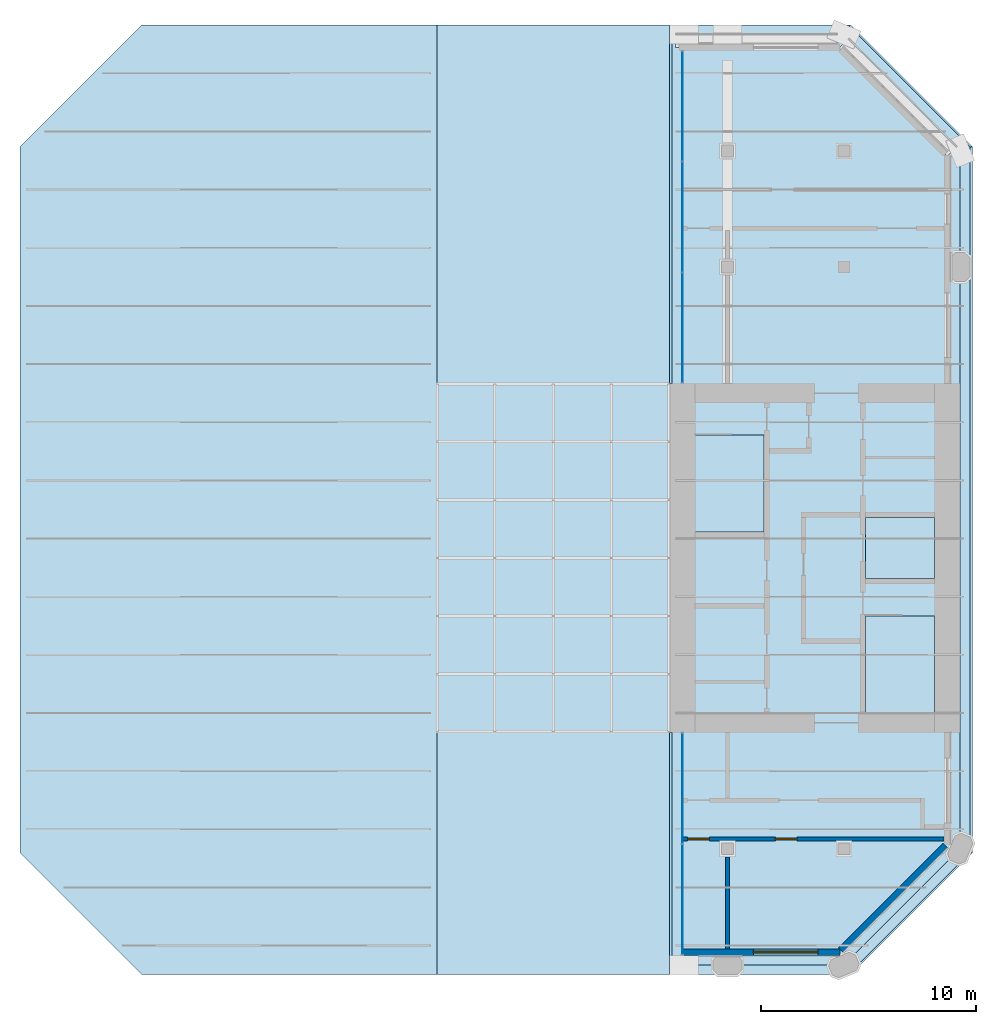
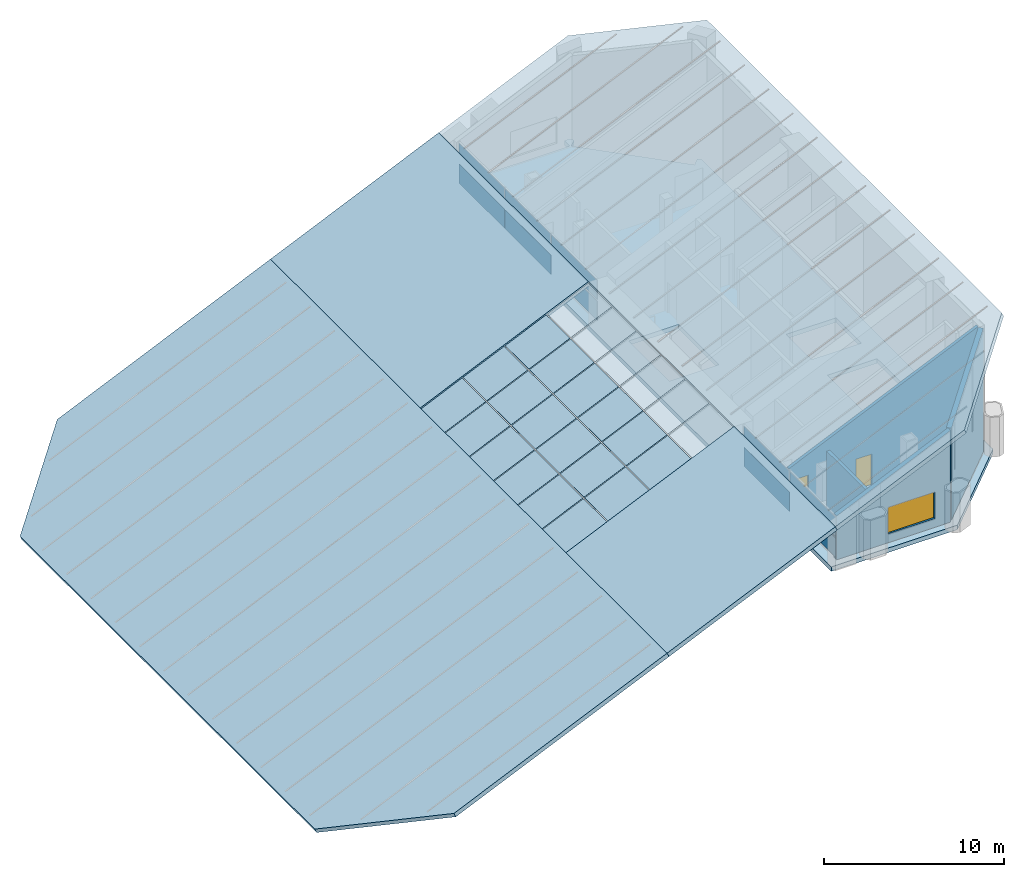
# One storey, part 7 of 10: 34 plates, 5 slabs, 4 walls, 2 doors, 1 window, 3 openings, 3 elements without a shape of their own.
"""IFC4 building model written with IfcOpenShell, lengths in metres."""

from ifc_helpers import new_model, si_unit, direction, frame, frame_2d, origin, origin_2d, place, context, subcontext, project, spatial, polyline, rectangle, outline, extrude, material, layer, layer_set, type_object, element, fill, aggregate, save


model = new_model("IFC4")

# Units and contexts
model_context = context("Model", 3, precision=1e-05, world=origin(), true_north=direction((0.0, 1.0)))
body_context = subcontext(model_context, "Body", "Model", "MODEL_VIEW")
ifc_project = project(units=[si_unit("LENGTHUNIT", "METRE"), si_unit("AREAUNIT", "SQUARE_METRE"), si_unit("VOLUMEUNIT", "CUBIC_METRE"), si_unit("PLANEANGLEUNIT", "RADIAN"), si_unit("MASSUNIT", "GRAM", prefix="KILO")], contexts=[model_context])

# Site, building, storey
site_placement = place(None, origin())
site = spatial("IfcSite", under=ifc_project, at=site_placement, CompositionType="ELEMENT")
building_placement = place(site_placement, origin())
building = spatial("IfcBuilding", under=site, at=building_placement, Name="Tabaq Tower and Sports Hall", CompositionType="ELEMENT")
storey_placement = place(building_placement, frame((0.0, 0.0, 335.199951171875)))
storey = spatial("IfcBuildingStorey", under=building, at=storey_placement, Name="L83", CompositionType="ELEMENT", Elevation=335.199951171875)

# Curtain wall, plates
ifc_material_1 = material(Name="Aluminium alloy 6063-T6 framed glazing", Category="aluminium")
curtain_wall_type = type_object("IfcCurtainWallType", Name="CW5 curtain wall", PredefinedType="USERDEFINED", material=ifc_material_1)
curtain_wall_1_placement = place(storey_placement, origin())
curtain_wall_1 = element("IfcCurtainWall", 1, at=curtain_wall_1_placement, inside=storey, type_object=curtain_wall_type, Name="Crown riser glazing L83", ObjectType="CROWN GLAZING", PredefinedType="USERDEFINED")
ifc_material_2 = material(Name="Clear low-emissivity glass 28 mm", Category="glass")
ifc_layer_1 = layer(ifc_material_2, 0.028076171875)
ifc_layer_set_1 = layer_set([ifc_layer_1], Name="CW5 glass panel 28")
plate_type = type_object("IfcPlateType", Name="CW5 glass panel 28", PredefinedType="CURTAIN_PANEL", material=ifc_layer_set_1)
plate_1_placement = place(storey_placement, frame((30.300048828125, 45.260009765625, 0.1201171875), z_axis=(0.0, 0.0, 1.0), x_axis=(0.0, -1.0, 0.0)))
plate_1 = element("IfcPlate", 2, at=plate_1_placement, type_object=plate_type, Name="CW5 panel 1.1", PredefinedType="CURTAIN_PANEL", context=body_context, shape_type="SweptSolid", body=[
    extrude(rectangle(XDim=5.06005859375, YDim=0.028076171875, at=origin_2d()), origin(), (0.0, 0.0, 1.0), 1.30322265625),
])
plate_2_placement = place(storey_placement, frame((30.300048828125, 45.260009765625, 1.54345703125), z_axis=(0.0, 0.0, 1.0), x_axis=(0.0, -1.0, 0.0)))
plate_2 = element("IfcPlate", 3, at=plate_2_placement, type_object=plate_type, Name="CW5 panel 1.2", PredefinedType="CURTAIN_PANEL", context=body_context, shape_type="SweptSolid", body=[
    extrude(rectangle(XDim=5.06005859375, YDim=0.028076171875, at=origin_2d()), origin(), (0.0, 0.0, 1.0), 1.30322265625),
])
plate_3_placement = place(storey_placement, frame((30.300048828125, 40.125, 0.1201171875), z_axis=(0.0, 0.0, 1.0), x_axis=(0.0, -1.0, 0.0)))
plate_3 = element("IfcPlate", 4, at=plate_3_placement, type_object=plate_type, Name="CW5 panel 2.1", PredefinedType="CURTAIN_PANEL", context=body_context, shape_type="SweptSolid", body=[
    extrude(rectangle(XDim=5.090087890625, YDim=0.028076171875, at=origin_2d()), origin(), (0.0, 0.0, 1.0), 1.30322265625),
])
plate_4_placement = place(storey_placement, frame((30.300048828125, 40.125, 1.54345703125), z_axis=(0.0, 0.0, 1.0), x_axis=(0.0, -1.0, 0.0)))
plate_4 = element("IfcPlate", 5, at=plate_4_placement, type_object=plate_type, Name="CW5 panel 2.2", PredefinedType="CURTAIN_PANEL", context=body_context, shape_type="SweptSolid", body=[
    extrude(rectangle(XDim=5.090087890625, YDim=0.028076171875, at=origin_2d()), origin(), (0.0, 0.0, 1.0), 1.30322265625),
])
plate_5_placement = place(storey_placement, frame((30.300048828125, 34.989990234375, 0.1201171875), z_axis=(0.0, 0.0, 1.0), x_axis=(0.0, -1.0, 0.0)))
plate_5 = element("IfcPlate", 6, at=plate_5_placement, type_object=plate_type, Name="CW5 panel 3.1", PredefinedType="CURTAIN_PANEL", context=body_context, shape_type="SweptSolid", body=[
    extrude(rectangle(XDim=5.06005859375, YDim=0.028076171875, at=origin_2d()), origin(), (0.0, 0.0, 1.0), 1.30322265625),
])
plate_6_placement = place(storey_placement, frame((30.300048828125, 34.989990234375, 1.54345703125), z_axis=(0.0, 0.0, 1.0), x_axis=(0.0, -1.0, 0.0)))
plate_6 = element("IfcPlate", 7, at=plate_6_placement, type_object=plate_type, Name="CW5 panel 3.2", PredefinedType="CURTAIN_PANEL", context=body_context, shape_type="SweptSolid", body=[
    extrude(rectangle(XDim=5.06005859375, YDim=0.028076171875, at=origin_2d()), origin(), (0.0, 0.0, 1.0), 1.30322265625),
])
aggregate(curtain_wall_1, [plate_1, plate_2, plate_3, plate_4, plate_5, plate_6])

curtain_wall_2_placement = place(storey_placement, origin())
curtain_wall_2 = element("IfcCurtainWall", 8, at=curtain_wall_2_placement, inside=storey, type_object=curtain_wall_type, Name="Crown riser glazing L83", ObjectType="CROWN GLAZING", PredefinedType="USERDEFINED")
plate_7_placement = place(storey_placement, frame((30.300048828125, 13.597412109375, 0.1201171875), z_axis=(0.0, 0.0, 1.0), x_axis=(0.0, -1.0, 0.0)))
plate_7 = element("IfcPlate", 9, at=plate_7_placement, type_object=plate_type, Name="CW5 panel 1.1", PredefinedType="CURTAIN_PANEL", context=body_context, shape_type="SweptSolid", body=[
    extrude(rectangle(XDim=5.0849609375, YDim=0.028076171875, at=origin_2d()), origin(), (0.0, 0.0, 1.0), 1.30322265625),
])
plate_8_placement = place(storey_placement, frame((30.300048828125, 13.597412109375, 1.54345703125), z_axis=(0.0, 0.0, 1.0), x_axis=(0.0, -1.0, 0.0)))
plate_8 = element("IfcPlate", 10, at=plate_8_placement, type_object=plate_type, Name="CW5 panel 1.2", PredefinedType="CURTAIN_PANEL", context=body_context, shape_type="SweptSolid", body=[
    extrude(rectangle(XDim=5.0849609375, YDim=0.028076171875, at=origin_2d()), origin(), (0.0, 0.0, 1.0), 1.30322265625),
])
plate_9_placement = place(storey_placement, frame((30.300048828125, 8.452392578125, 0.1201171875), z_axis=(0.0, 0.0, 1.0), x_axis=(0.0, -1.0, 0.0)))
plate_9 = element("IfcPlate", 11, at=plate_9_placement, type_object=plate_type, Name="CW5 panel 2.1", PredefinedType="CURTAIN_PANEL", context=body_context, shape_type="SweptSolid", body=[
    extrude(rectangle(XDim=5.0849609375, YDim=0.028076171875, at=origin_2d()), origin(), (0.0, 0.0, 1.0), 1.30322265625),
])
plate_10_placement = place(storey_placement, frame((30.300048828125, 8.452392578125, 1.54345703125), z_axis=(0.0, 0.0, 1.0), x_axis=(0.0, -1.0, 0.0)))
plate_10 = element("IfcPlate", 12, at=plate_10_placement, type_object=plate_type, Name="CW5 panel 2.2", PredefinedType="CURTAIN_PANEL", context=body_context, shape_type="SweptSolid", body=[
    extrude(rectangle(XDim=5.0849609375, YDim=0.028076171875, at=origin_2d()), origin(), (0.0, 0.0, 1.0), 1.30322265625),
])
aggregate(curtain_wall_2, [plate_7, plate_8, plate_9, plate_10])

curtain_wall_3_placement = place(storey_placement, origin())
curtain_wall_3 = element("IfcCurtainWall", 13, at=curtain_wall_3_placement, inside=storey, type_object=curtain_wall_type, Name="Atrium rooflight", ObjectType="CROWN GLAZING", PredefinedType="USERDEFINED")
plate_11_placement = place(storey_placement, frame((18.929931640625, 16.22998046875, -1.856689453125), z_axis=(-0.406122784972, 0.0, 0.913818517829), x_axis=(0.913818517829, 0.0, 0.406122784972)))
plate_11 = element("IfcPlate", 14, at=plate_11_placement, type_object=plate_type, Name="Rooflight glass 1.1", PredefinedType="CURTAIN_PANEL", context=body_context, shape_type="SweptSolid", body=[
    extrude(outline(polyline([(0.0, 0.0), (2.8891258682555336, 0.0), (2.8891258682555336, 2.64013671875), (0.0, 2.64013671875), (0.0, 0.0)])), origin(), (0.0, 0.0, -1.0), 0.028076171875),
])
plate_12_placement = place(storey_placement, frame((18.929931640625, 18.929931640625, -1.856689453125), z_axis=(-0.406122784972, 0.0, 0.913818517829), x_axis=(0.913818517829, 0.0, 0.406122784972)))
plate_12 = element("IfcPlate", 15, at=plate_12_placement, type_object=plate_type, Name="Rooflight glass 1.2", PredefinedType="CURTAIN_PANEL", context=body_context, shape_type="SweptSolid", body=[
    extrude(outline(polyline([(0.0, 0.0), (2.8891258682555336, 0.0), (2.8891258682555336, 2.64013671875), (0.0, 2.64013671875), (0.0, 0.0)])), origin(), (0.0, 0.0, -1.0), 0.028076171875),
])
plate_13_placement = place(storey_placement, frame((18.929931640625, 21.6298828125, -1.856689453125), z_axis=(-0.406122784972, 0.0, 0.913818517829), x_axis=(0.913818517829, 0.0, 0.406122784972)))
plate_13 = element("IfcPlate", 16, at=plate_13_placement, type_object=plate_type, Name="Rooflight glass 1.3", PredefinedType="CURTAIN_PANEL", context=body_context, shape_type="SweptSolid", body=[
    extrude(outline(polyline([(0.0, 0.0), (2.8891258682555336, 0.0), (2.8891258682555336, 2.64013671875), (0.0, 2.64013671875), (0.0, 0.0)])), origin(), (0.0, 0.0, -1.0), 0.028076171875),
])
plate_14_placement = place(storey_placement, frame((18.929931640625, 24.330078125, -1.856689453125), z_axis=(-0.406122784972, 0.0, 0.913818517829), x_axis=(0.913818517829, 0.0, 0.406122784972)))
plate_14 = element("IfcPlate", 17, at=plate_14_placement, type_object=plate_type, Name="Rooflight glass 1.4", PredefinedType="CURTAIN_PANEL", context=body_context, shape_type="SweptSolid", body=[
    extrude(outline(polyline([(0.0, 0.0), (2.8891258682555336, 0.0), (2.8891258682555336, 2.639892578125), (0.0, 2.639892578125), (0.0, 0.0)])), origin(), (0.0, 0.0, -1.0), 0.028076171875),
])
plate_15_placement = place(storey_placement, frame((18.929931640625, 27.030029296875, -1.856689453125), z_axis=(-0.406122784972, 0.0, 0.913818517829), x_axis=(0.913818517829, 0.0, 0.406122784972)))
plate_15 = element("IfcPlate", 18, at=plate_15_placement, type_object=plate_type, Name="Rooflight glass 1.5", PredefinedType="CURTAIN_PANEL", context=body_context, shape_type="SweptSolid", body=[
    extrude(outline(polyline([(0.0, 0.0), (2.8891258682555336, 0.0), (2.8891258682555336, 2.639892578125), (0.0, 2.639892578125), (0.0, 0.0)])), origin(), (0.0, 0.0, -1.0), 0.028076171875),
])
plate_16_placement = place(storey_placement, frame((18.929931640625, 29.72998046875, -1.856689453125), z_axis=(-0.406122784972, 0.0, 0.913818517829), x_axis=(0.913818517829, 0.0, 0.406122784972)))
plate_16 = element("IfcPlate", 19, at=plate_16_placement, type_object=plate_type, Name="Rooflight glass 1.6", PredefinedType="CURTAIN_PANEL", context=body_context, shape_type="SweptSolid", body=[
    extrude(outline(polyline([(0.0, 0.0), (2.8891258682555336, 0.0), (2.8891258682555336, 2.64013671875), (0.0, 2.64013671875), (0.0, 0.0)])), origin(), (0.0, 0.0, -1.0), 0.028076171875),
])
plate_17_placement = place(storey_placement, frame((21.6298828125, 16.22998046875, -0.65673828125), z_axis=(-0.406122784972, 0.0, 0.913818517829), x_axis=(0.913818517829, 0.0, 0.406122784972)))
plate_17 = element("IfcPlate", 20, at=plate_17_placement, type_object=plate_type, Name="Rooflight glass 2.1", PredefinedType="CURTAIN_PANEL", context=body_context, shape_type="SweptSolid", body=[
    extrude(outline(polyline([(0.0, 0.0), (2.8891258682555336, 0.0), (2.8891258682555336, 2.64013671875), (0.0, 2.64013671875), (0.0, 0.0)])), origin(), (0.0, 0.0, -1.0), 0.028076171875),
])
plate_18_placement = place(storey_placement, frame((21.6298828125, 18.929931640625, -0.65673828125), z_axis=(-0.406122784972, 0.0, 0.913818517829), x_axis=(0.913818517829, 0.0, 0.406122784972)))
plate_18 = element("IfcPlate", 21, at=plate_18_placement, type_object=plate_type, Name="Rooflight glass 2.2", PredefinedType="CURTAIN_PANEL", context=body_context, shape_type="SweptSolid", body=[
    extrude(outline(polyline([(0.0, 0.0), (2.8891258682555336, 0.0), (2.8891258682555336, 2.64013671875), (0.0, 2.64013671875), (0.0, 0.0)])), origin(), (0.0, 0.0, -1.0), 0.028076171875),
])
plate_19_placement = place(storey_placement, frame((21.6298828125, 21.6298828125, -0.65673828125), z_axis=(-0.406122784972, 0.0, 0.913818517829), x_axis=(0.913818517829, 0.0, 0.406122784972)))
plate_19 = element("IfcPlate", 22, at=plate_19_placement, type_object=plate_type, Name="Rooflight glass 2.3", PredefinedType="CURTAIN_PANEL", context=body_context, shape_type="SweptSolid", body=[
    extrude(outline(polyline([(0.0, 0.0), (2.8891258682555336, 0.0), (2.8891258682555336, 2.64013671875), (0.0, 2.64013671875), (0.0, 0.0)])), origin(), (0.0, 0.0, -1.0), 0.028076171875),
])
plate_20_placement = place(storey_placement, frame((21.6298828125, 24.330078125, -0.65673828125), z_axis=(-0.406122784972, 0.0, 0.913818517829), x_axis=(0.913818517829, 0.0, 0.406122784972)))
plate_20 = element("IfcPlate", 23, at=plate_20_placement, type_object=plate_type, Name="Rooflight glass 2.4", PredefinedType="CURTAIN_PANEL", context=body_context, shape_type="SweptSolid", body=[
    extrude(outline(polyline([(0.0, 0.0), (2.8891258682555336, 0.0), (2.8891258682555336, 2.639892578125), (0.0, 2.639892578125), (0.0, 0.0)])), origin(), (0.0, 0.0, -1.0), 0.028076171875),
])
plate_21_placement = place(storey_placement, frame((21.6298828125, 27.030029296875, -0.65673828125), z_axis=(-0.406122784972, 0.0, 0.913818517829), x_axis=(0.913818517829, 0.0, 0.406122784972)))
plate_21 = element("IfcPlate", 24, at=plate_21_placement, type_object=plate_type, Name="Rooflight glass 2.5", PredefinedType="CURTAIN_PANEL", context=body_context, shape_type="SweptSolid", body=[
    extrude(outline(polyline([(0.0, 0.0), (2.8891258682555336, 0.0), (2.8891258682555336, 2.639892578125), (0.0, 2.639892578125), (0.0, 0.0)])), origin(), (0.0, 0.0, -1.0), 0.028076171875),
])
plate_22_placement = place(storey_placement, frame((21.6298828125, 29.72998046875, -0.65673828125), z_axis=(-0.406122784972, 0.0, 0.913818517829), x_axis=(0.913818517829, 0.0, 0.406122784972)))
plate_22 = element("IfcPlate", 25, at=plate_22_placement, type_object=plate_type, Name="Rooflight glass 2.6", PredefinedType="CURTAIN_PANEL", context=body_context, shape_type="SweptSolid", body=[
    extrude(outline(polyline([(0.0, 0.0), (2.8891258682555336, 0.0), (2.8891258682555336, 2.64013671875), (0.0, 2.64013671875), (0.0, 0.0)])), origin(), (0.0, 0.0, -1.0), 0.028076171875),
])
plate_23_placement = place(storey_placement, frame((24.330078125, 16.22998046875, 0.54345703125), z_axis=(-0.406154148226, 0.0, 0.913804578604), x_axis=(0.913804578604, 0.0, 0.406154148226)))
plate_23 = element("IfcPlate", 26, at=plate_23_placement, type_object=plate_type, Name="Rooflight glass 3.1", PredefinedType="CURTAIN_PANEL", context=body_context, shape_type="SweptSolid", body=[
    extrude(outline(polyline([(0.0, 0.0), (2.888902769732954, 0.0), (2.888902769732954, 2.64013671875), (0.0, 2.64013671875), (0.0, 0.0)])), origin(), (0.0, 0.0, -1.0), 0.028076171875),
])
plate_24_placement = place(storey_placement, frame((24.330078125, 18.929931640625, 0.54345703125), z_axis=(-0.406154148226, 0.0, 0.913804578604), x_axis=(0.913804578604, 0.0, 0.406154148226)))
plate_24 = element("IfcPlate", 27, at=plate_24_placement, type_object=plate_type, Name="Rooflight glass 3.2", PredefinedType="CURTAIN_PANEL", context=body_context, shape_type="SweptSolid", body=[
    extrude(outline(polyline([(0.0, 0.0), (2.888902769732954, 0.0), (2.888902769732954, 2.64013671875), (0.0, 2.64013671875), (0.0, 0.0)])), origin(), (0.0, 0.0, -1.0), 0.028076171875),
])
plate_25_placement = place(storey_placement, frame((24.330078125, 21.6298828125, 0.54345703125), z_axis=(-0.406154148226, 0.0, 0.913804578604), x_axis=(0.913804578604, 0.0, 0.406154148226)))
plate_25 = element("IfcPlate", 28, at=plate_25_placement, type_object=plate_type, Name="Rooflight glass 3.3", PredefinedType="CURTAIN_PANEL", context=body_context, shape_type="SweptSolid", body=[
    extrude(outline(polyline([(0.0, 0.0), (2.888902769732954, 0.0), (2.888902769732954, 2.64013671875), (0.0, 2.64013671875), (0.0, 0.0)])), origin(), (0.0, 0.0, -1.0), 0.028076171875),
])
plate_26_placement = place(storey_placement, frame((24.330078125, 24.330078125, 0.54345703125), z_axis=(-0.406154148226, 0.0, 0.913804578604), x_axis=(0.913804578604, 0.0, 0.406154148226)))
plate_26 = element("IfcPlate", 29, at=plate_26_placement, type_object=plate_type, Name="Rooflight glass 3.4", PredefinedType="CURTAIN_PANEL", context=body_context, shape_type="SweptSolid", body=[
    extrude(outline(polyline([(0.0, 0.0), (2.888902769732954, 0.0), (2.888902769732954, 2.639892578125), (0.0, 2.639892578125), (0.0, 0.0)])), origin(), (0.0, 0.0, -1.0), 0.028076171875),
])
plate_27_placement = place(storey_placement, frame((24.330078125, 27.030029296875, 0.54345703125), z_axis=(-0.406154148226, 0.0, 0.913804578604), x_axis=(0.913804578604, 0.0, 0.406154148226)))
plate_27 = element("IfcPlate", 30, at=plate_27_placement, type_object=plate_type, Name="Rooflight glass 3.5", PredefinedType="CURTAIN_PANEL", context=body_context, shape_type="SweptSolid", body=[
    extrude(outline(polyline([(0.0, 0.0), (2.888902769732954, 0.0), (2.888902769732954, 2.639892578125), (0.0, 2.639892578125), (0.0, 0.0)])), origin(), (0.0, 0.0, -1.0), 0.028076171875),
])
plate_28_placement = place(storey_placement, frame((24.330078125, 29.72998046875, 0.54345703125), z_axis=(-0.406154148226, 0.0, 0.913804578604), x_axis=(0.913804578604, 0.0, 0.406154148226)))
plate_28 = element("IfcPlate", 31, at=plate_28_placement, type_object=plate_type, Name="Rooflight glass 3.6", PredefinedType="CURTAIN_PANEL", context=body_context, shape_type="SweptSolid", body=[
    extrude(outline(polyline([(0.0, 0.0), (2.888902769732954, 0.0), (2.888902769732954, 2.64013671875), (0.0, 2.64013671875), (0.0, 0.0)])), origin(), (0.0, 0.0, -1.0), 0.028076171875),
])
plate_29_placement = place(storey_placement, frame((27.030029296875, 16.22998046875, 1.743408203125), z_axis=(-0.406154148226, 0.0, 0.913804578604), x_axis=(0.913804578604, 0.0, 0.406154148226)))
plate_29 = element("IfcPlate", 32, at=plate_29_placement, type_object=plate_type, Name="Rooflight glass 4.1", PredefinedType="CURTAIN_PANEL", context=body_context, shape_type="SweptSolid", body=[
    extrude(outline(polyline([(0.0, 0.0), (2.888902769732954, 0.0), (2.888902769732954, 2.64013671875), (0.0, 2.64013671875), (0.0, 0.0)])), origin(), (0.0, 0.0, -1.0), 0.028076171875),
])
plate_30_placement = place(storey_placement, frame((27.030029296875, 18.929931640625, 1.743408203125), z_axis=(-0.406154148226, 0.0, 0.913804578604), x_axis=(0.913804578604, 0.0, 0.406154148226)))
plate_30 = element("IfcPlate", 33, at=plate_30_placement, type_object=plate_type, Name="Rooflight glass 4.2", PredefinedType="CURTAIN_PANEL", context=body_context, shape_type="SweptSolid", body=[
    extrude(outline(polyline([(0.0, 0.0), (2.888902769732954, 0.0), (2.888902769732954, 2.64013671875), (0.0, 2.64013671875), (0.0, 0.0)])), origin(), (0.0, 0.0, -1.0), 0.028076171875),
])
plate_31_placement = place(storey_placement, frame((27.030029296875, 21.6298828125, 1.743408203125), z_axis=(-0.406154148226, 0.0, 0.913804578604), x_axis=(0.913804578604, 0.0, 0.406154148226)))
plate_31 = element("IfcPlate", 34, at=plate_31_placement, type_object=plate_type, Name="Rooflight glass 4.3", PredefinedType="CURTAIN_PANEL", context=body_context, shape_type="SweptSolid", body=[
    extrude(outline(polyline([(0.0, 0.0), (2.888902769732954, 0.0), (2.888902769732954, 2.64013671875), (0.0, 2.64013671875), (0.0, 0.0)])), origin(), (0.0, 0.0, -1.0), 0.028076171875),
])
plate_32_placement = place(storey_placement, frame((27.030029296875, 24.330078125, 1.743408203125), z_axis=(-0.406154148226, 0.0, 0.913804578604), x_axis=(0.913804578604, 0.0, 0.406154148226)))
plate_32 = element("IfcPlate", 35, at=plate_32_placement, type_object=plate_type, Name="Rooflight glass 4.4", PredefinedType="CURTAIN_PANEL", context=body_context, shape_type="SweptSolid", body=[
    extrude(outline(polyline([(0.0, 0.0), (2.888902769732954, 0.0), (2.888902769732954, 2.639892578125), (0.0, 2.639892578125), (0.0, 0.0)])), origin(), (0.0, 0.0, -1.0), 0.028076171875),
])
plate_33_placement = place(storey_placement, frame((27.030029296875, 27.030029296875, 1.743408203125), z_axis=(-0.406154148226, 0.0, 0.913804578604), x_axis=(0.913804578604, 0.0, 0.406154148226)))
plate_33 = element("IfcPlate", 36, at=plate_33_placement, type_object=plate_type, Name="Rooflight glass 4.5", PredefinedType="CURTAIN_PANEL", context=body_context, shape_type="SweptSolid", body=[
    extrude(outline(polyline([(0.0, 0.0), (2.888902769732954, 0.0), (2.888902769732954, 2.639892578125), (0.0, 2.639892578125), (0.0, 0.0)])), origin(), (0.0, 0.0, -1.0), 0.028076171875),
])
plate_34_placement = place(storey_placement, frame((27.030029296875, 29.72998046875, 1.743408203125), z_axis=(-0.406154148226, 0.0, 0.913804578604), x_axis=(0.913804578604, 0.0, 0.406154148226)))
plate_34 = element("IfcPlate", 37, at=plate_34_placement, type_object=plate_type, Name="Rooflight glass 4.6", PredefinedType="CURTAIN_PANEL", context=body_context, shape_type="SweptSolid", body=[
    extrude(outline(polyline([(0.0, 0.0), (2.888902769732954, 0.0), (2.888902769732954, 2.64013671875), (0.0, 2.64013671875), (0.0, 0.0)])), origin(), (0.0, 0.0, -1.0), 0.028076171875),
])
aggregate(curtain_wall_3, [plate_11, plate_12, plate_13, plate_14, plate_15, plate_16, plate_17, plate_18, plate_19, plate_20, plate_21, plate_22, plate_23, plate_24, plate_25, plate_26, plate_27, plate_28, plate_29, plate_30, plate_31, plate_32, plate_33, plate_34])

# Slabs
ifc_material_3 = material(Name="Concrete C40/50", Category="concrete")
ifc_layer_2 = layer(ifc_material_3, 0.300048828125)
ifc_layer_set_2 = layer_set([ifc_layer_2], Name="Concrete C40/50 crown roof slab 300")
slab_type_1 = type_object("IfcSlabType", Name="Concrete C40/50 crown roof slab 300", PredefinedType="ROOF", material=ifc_layer_set_2)
slab_1_placement = place(storey_placement, frame((-0.449951171875, 10.613525390625, -10.39990234375), z_axis=(-0.406135416897, 0.0, 0.913812903795), x_axis=(0.0, 1.0, 0.0)))
element("IfcSlab", 38, at=slab_1_placement, inside=storey, type_object=slab_type_1, Name="Crown roof W", PredefinedType="ROOF", context=body_context, shape_type="SweptSolid", body=[
    extrude(outline(polyline([(0.0, 0.0), (32.77294921875, 0.0), (38.4365234375, -6.197726535751962), (38.4365234375, -21.174850921938955), (-5.66357421875, -21.174850921938955), (-5.66357421875, -6.197726535751962), (0.0, 0.0)])), origin(), (0.0, 0.0, -1.0), 0.300048828125),
])
slab_2_placement = place(storey_placement, frame((37.986328125, 49.050048828125, 6.682861328125), z_axis=(-0.406137302659, 0.0, 0.913812065683), x_axis=(0.67457781044, -0.674579827023, 0.299811331733)))
element("IfcSlab", 39, at=slab_2_placement, inside=storey, type_object=slab_type_1, Name="Crown roof E", PredefinedType="ROOF", context=body_context, shape_type="SweptSolid", body=[
    extrude(outline(polyline([(0.0, 0.0), (8.395706470711739, -5.551115123125783e-16), (30.503676885735118, -24.193053644036286), (29.74903624865786, -32.55477623278692), (23.05506666776608, -38.67182468937571), (-6.693969580891777, -6.117048456588787), (0.0, 0.0)])), origin(), (0.0, 0.0, -1.0), 0.300048828125),
])
slab_3_placement = place(storey_placement, frame((18.89990234375, 4.949951171875, -1.800048828125), z_axis=(-0.406140382696, 0.0, 0.913810696777), x_axis=(0.0, 1.0, 0.0)))
element("IfcSlab", 40, at=slab_3_placement, inside=storey, type_object=slab_type_1, Name="Crown roof S", PredefinedType="ROOF", context=body_context, shape_type="SweptSolid", body=[
    extrude(outline(polyline([(0.0, 0.0), (11.25, 0.0), (11.25, -11.818693812865632), (0.0, -11.818693812865632), (0.0, 0.0)])), origin(), (0.0, 0.0, -1.0), 0.300048828125),
])
slab_4_placement = place(storey_placement, frame((29.699951171875, 49.050048828125, 3.0), z_axis=(-0.406140382696, 0.0, 0.913810696777), x_axis=(0.0, -1.0, 0.0)))
element("IfcSlab", 41, at=slab_4_placement, inside=storey, type_object=slab_type_1, Name="Crown roof N", PredefinedType="ROOF", context=body_context, shape_type="SweptSolid", body=[
    extrude(outline(polyline([(0.0, 0.0), (16.650146484375, 0.0), (16.650146484375, -11.818693812865632), (0.0, -11.818693812865632), (0.0, 0.0)])), origin(), (0.0, 0.0, -1.0), 0.300048828125),
])
ifc_material_4 = material(Name="Concrete C40/50", Category="concrete")
ifc_layer_3 = layer(ifc_material_4, 0.300048828125)
ifc_layer_set_3 = layer_set([ifc_layer_3], Name="PT FLOOR SLAB 300 C40/50")
slab_type_2 = type_object("IfcSlabType", Name="PT FLOOR SLAB 300 C40/50", PredefinedType="FLOOR", material=ifc_layer_set_3)
slab_5_placement = place(storey_placement, frame((0.0, 0.0, -0.300048828125)))
element("IfcSlab", 42, at=slab_5_placement, inside=storey, type_object=slab_type_2, Name="Floor Slab L83", PredefinedType="FLOOR", context=body_context, shape_type="SweptSolid", body=[
    extrude(outline(polyline([(29.989990234375, 48.60009765625), (29.699951171875, 48.60009765625), (29.699951171875, 32.39990234375), (29.699951171875, 16.199951171875), (29.699951171875, 5.39990234375), (37.800048828125, 5.39990234375), (43.199951171875, 10.800048828125), (43.199951171875, 43.199951171875), (43.023193359375, 43.376708984375), (42.669677734375, 43.023193359375), (42.598876953125, 42.952392578125), (37.5869140625, 47.964599609375), (37.657470703125, 48.035400390625), (38.010986328125, 48.388916015625), (37.800048828125, 48.60009765625), (37.50146484375, 48.60009765625), (37.50146484375, 48.10009765625), (37.50146484375, 48.0), (29.989990234375, 48.0), (29.989990234375, 48.10009765625), (29.989990234375, 48.60009765625)]), holes=[polyline([(38.800048828125, 17.10009765625), (38.800048828125, 21.599365234375), (42.0, 21.599365234375), (42.0, 17.10009765625), (38.800048828125, 17.10009765625)]), polyline([(38.800048828125, 23.35009765625), (38.800048828125, 26.175048828125), (42.0, 26.175048828125), (42.0, 23.35009765625), (38.800048828125, 23.35009765625)]), polyline([(30.89990234375, 25.5), (30.89990234375, 29.99951171875), (34.10009765625, 29.99951171875), (34.10009765625, 25.5), (30.89990234375, 25.5)])]), origin(), (0.0, 0.0, 1.0), 0.300048828125),
])

# Wall
ifc_material_5 = material(Name="Blockwork", Category="masonry")
ifc_layer_4 = layer(ifc_material_5, 0.199951171875)
ifc_layer_set_4 = layer_set([ifc_layer_4], Name="Fire compartment wall 200 Blockwork")
wall_type_1 = type_object("IfcWallType", Name="Fire compartment wall 200 Blockwork", PredefinedType="PARTITIONING", material=ifc_layer_set_4)
wall_1_placement = place(storey_placement, frame((32.39990234375, 10.42431640625, 0.0), z_axis=(0.0, 0.0, 1.0), x_axis=(0.0, -1.0, 0.0)))
element("IfcWall", 43, at=wall_1_placement, inside=storey, type_object=wall_type_1, Name="Compartment wall L83", PredefinedType="PARTITIONING", context=body_context, shape_type="SweptSolid", body=[
    extrude(rectangle(XDim=4.2734375, YDim=0.199951171875, at=frame_2d((2.13671875, 0.0))), origin(), (0.0, 0.0, 1.0), 3.900146484375),
])

# Wall, openings, doors
wall_2_placement = place(storey_placement, frame((42.448974609375, 11.25, 0.0), z_axis=(0.0, 0.0, 1.0), x_axis=(-1.0, 0.0, 0.0)))
wall_2 = element("IfcWall", 44, at=wall_2_placement, inside=storey, type_object=wall_type_1, Name="Compartment wall L83", PredefinedType="PARTITIONING", context=body_context, shape_type="SweptSolid", body=[
    extrude(outline(polyline([(0.0, 0.0), (12.14892578125, 0.0), (12.14892578125, 2.966796875), (0.0, 8.3662109375), (0.0, 0.0)])), frame((0.0, 0.10009765625, 0.0), z_axis=(0.0, -1.0, 0.0), x_axis=(1.0, 0.0, 0.0)), (0.0, 0.0, 1.0), 0.199951171875),
])
opening_1_placement = place(wall_2_placement, frame((6.83203125, 0.0, 0.0)))
opening_1 = element("IfcOpeningElement", 45, at=opening_1_placement, cuts=wall_2, Name="Opening L83-003", PredefinedType="OPENING", context=body_context, shape_type="SweptSolid", body=[
    extrude(rectangle(XDim=1.0, YDim=2.10009765625, at=frame_2d((0.5, 1.050048828125))), frame((0.0, 0.10009765625, 0.0), z_axis=(0.0, -1.0, 0.0), x_axis=(1.0, 0.0, 0.0)), (0.0, 0.0, 1.0), 0.199951171875),
])
opening_2_placement = place(wall_2_placement, frame((10.89892578125, 0.0, 0.0)))
opening_2 = element("IfcOpeningElement", 46, at=opening_2_placement, cuts=wall_2, Name="Opening L83-004", PredefinedType="OPENING", context=body_context, shape_type="SweptSolid", body=[
    extrude(rectangle(XDim=1.0, YDim=2.10009765625, at=frame_2d((0.5, 1.050048828125))), frame((0.0, 0.10009765625, 0.0), z_axis=(0.0, -1.0, 0.0), x_axis=(1.0, 0.0, 0.0)), (0.0, 0.0, 1.0), 0.199951171875),
])
ifc_material_6 = material(Name="Steel fire door", Category="steel")
door_type_1 = type_object("IfcDoorType", Name="Plant room door 1000 left hand", OperationType="SINGLE_SWING_LEFT", PredefinedType="DOOR", material=ifc_material_6)
door_1_placement = place(opening_1_placement, origin())
door_1 = element("IfcDoor", 47, at=door_1_placement, inside=storey, type_object=door_type_1, Name="Plant room door L83-003", OperationType="SINGLE_SWING_LEFT", OverallHeight=2.10009765625, OverallWidth=1.0, PredefinedType="DOOR", context=body_context, shape_type="SweptSolid", body=[
    extrude(rectangle(XDim=1.0, YDim=2.10009765625, at=frame_2d((0.5, 1.050048828125))), frame((0.0, 0.02490234375, 0.0), z_axis=(0.0, -1.0, 0.0), x_axis=(1.0, 0.0, 0.0)), (0.0, 0.0, 1.0), 0.050048828125),
])
fill(opening_1, door_1)
ifc_material_7 = material(Name="Steel fire door", Category="steel")
door_type_2 = type_object("IfcDoorType", Name="Plant room door 1000 right hand", OperationType="SINGLE_SWING_RIGHT", PredefinedType="DOOR", material=ifc_material_7)
door_2_placement = place(opening_2_placement, origin())
door_2 = element("IfcDoor", 48, at=door_2_placement, inside=storey, type_object=door_type_2, Name="Plant room door L83-004", OperationType="SINGLE_SWING_RIGHT", OverallHeight=2.10009765625, OverallWidth=1.0, PredefinedType="DOOR", context=body_context, shape_type="SweptSolid", body=[
    extrude(rectangle(XDim=1.0, YDim=2.10009765625, at=frame_2d((0.5, 1.050048828125))), frame((0.0, 0.02490234375, 0.0), z_axis=(0.0, -1.0, 0.0), x_axis=(1.0, 0.0, 0.0)), (0.0, 0.0, 1.0), 0.050048828125),
])
fill(opening_2, door_2)

# Wall, opening, window
ifc_material_8 = material(Name="White precast concrete C60/75", Category="concrete")
ifc_layer_5 = layer(ifc_material_8, 0.300048828125)
ifc_layer_set_5 = layer_set([ifc_layer_5], Name="White precast concrete C60/75 external wall 300")
wall_type_2 = type_object("IfcWallType", Name="White precast concrete C60/75 external wall 300", PredefinedType="SOLIDWALL", material=ifc_layer_set_5)
wall_3_placement = place(storey_placement, frame((30.300048828125, 6.0, 0.0), z_axis=(0.0, 0.0, 1.0), x_axis=(1.0, 0.0, 0.0)))
wall_3 = element("IfcWall", 49, at=wall_3_placement, inside=storey, type_object=wall_type_2, Name="External Wall L83 S", PredefinedType="SOLIDWALL", context=body_context, shape_type="SweptSolid", body=[
    extrude(outline(polyline([(0.0, 0.0), (7.3134765625, 0.0), (7.313720703125, 6.21728515625), (6.7509765625, 5.96728515625), (6.1884765625, 5.717041015625), (5.625732421875, 5.467041015625), (5.063232421875, 5.217041015625), (4.500732421875, 4.967041015625), (3.93798828125, 4.717041015625), (3.37548828125, 4.467041015625), (2.81298828125, 4.216796875), (2.250244140625, 3.966796875), (1.687744140625, 3.716796875), (1.125244140625, 3.466796875), (0.5625, 3.216796875), (0.0, 2.966796875), (0.0, 0.0)])), frame((0.0, 0.14990234375, 0.0), z_axis=(0.0, -1.0, 0.0), x_axis=(1.0, 0.0, 0.0)), (0.0, 0.0, 1.0), 0.300048828125),
])
opening_3_placement = place(wall_3_placement, frame((3.300048828125, 0.0, 0.60009765625)))
opening_3 = element("IfcOpeningElement", 50, at=opening_3_placement, cuts=wall_3, Name="Opening LV1", PredefinedType="OPENING", context=body_context, shape_type="SweptSolid", body=[
    extrude(rectangle(XDim=3.0, YDim=1.800048828125, at=frame_2d((1.5, 0.89990234375))), frame((0.0, 0.16015625, 0.0), z_axis=(0.0, -1.0, 0.0), x_axis=(1.0, 0.0, 0.0)), (0.0, 0.0, 1.0), 0.320068359375),
])
ifc_material_9 = material(Name="Aluminium alloy 6063-T6 louvre blades", Category="aluminium")
window_type = type_object("IfcWindowType", Name="Plant louvre LV1", PartitioningType="SINGLE_PANEL", PredefinedType="WINDOW", material=ifc_material_9)
window_placement = place(opening_3_placement, origin())
window = element("IfcWindow", 51, at=window_placement, inside=storey, type_object=window_type, Name="Plant louvre L83", OverallHeight=1.800048828125, OverallWidth=3.0, PartitioningType="SINGLE_PANEL", PredefinedType="WINDOW", context=body_context, shape_type="SweptSolid", body=[
    extrude(rectangle(XDim=3.0, YDim=1.800048828125, at=frame_2d((1.5, 0.89990234375))), frame((0.0, 0.030029296875, 0.0), z_axis=(0.0, -1.0, 0.0), x_axis=(1.0, 0.0, 0.0)), (0.0, 0.0, 1.0), 0.06005859375),
])
fill(opening_3, window)

# Wall
wall_4_placement = place(storey_placement, frame((37.650390625, 6.098876953125, 0.0), z_axis=(0.0, 0.0, 1.0), x_axis=(0.707106781187, 0.707106781187, 0.0)))
element("IfcWall", 52, at=wall_4_placement, inside=storey, type_object=wall_type_2, Name="External Wall L83 SE", PredefinedType="SOLIDWALL", context=body_context, shape_type="SweptSolid", body=[
    extrude(outline(polyline([(0.0, 0.0), (6.85986328125, 0.0), (6.859619140625, 8.389404296875), (6.2880859375, 8.209716796875), (5.71630859375, 8.030029296875), (5.144775390625, 7.850341796875), (4.5732421875, 7.6708984375), (4.00146484375, 7.4912109375), (3.429931640625, 7.3115234375), (2.858154296875, 7.1318359375), (2.28662109375, 6.9521484375), (1.71484375, 6.7724609375), (1.143310546875, 6.5927734375), (0.571533203125, 6.413330078125), (0.0, 6.233642578125), (0.0, 0.0)])), frame((0.0, 0.14990234375, 0.0), z_axis=(0.0, -1.0, 0.0), x_axis=(1.0, 0.0, 0.0)), (0.0, 0.0, 1.0), 0.300048828125),
])

save(model, "model.ifc")
